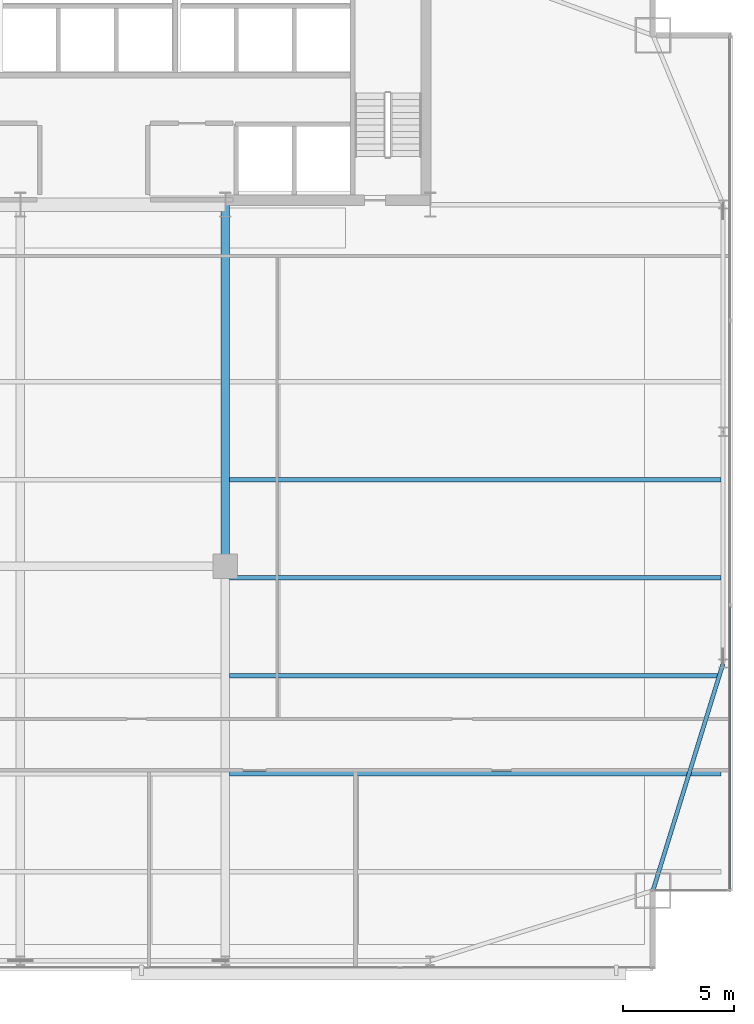
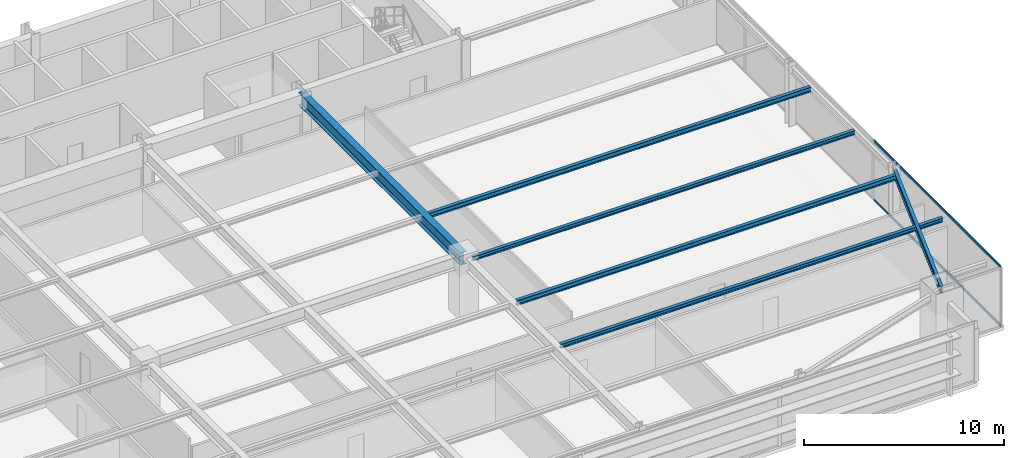
# One storey, part 17 of 32: 6 beams, 2 members, 1 element without a shape of its own.
"""IFC4 building model written with IfcOpenShell, lengths in metres."""

from ifc_helpers import new_model, si_unit, direction, frame, origin, origin_2d, place, context, subcontext, project, spatial, hollow_rectangle, i_section, extrude, source, transform, mapped, material, layer, layer_set, material_profile, profile_set, type_object, type_shapes, element, aggregate, save


model = new_model("IFC4")

# Units and contexts
model_context = context("Model", 3, precision=1e-05, world=origin(), true_north=direction((0.0, 1.0)))
body_context = subcontext(model_context, "Body", "Model", "MODEL_VIEW")
ifc_project = project(units=[si_unit("LENGTHUNIT", "METRE"), si_unit("AREAUNIT", "SQUARE_METRE"), si_unit("VOLUMEUNIT", "CUBIC_METRE"), si_unit("PLANEANGLEUNIT", "RADIAN"), si_unit("MASSUNIT", "GRAM", prefix="KILO")], contexts=[model_context])

# Site, building, storey
site_placement = place(None, origin())
site = spatial("IfcSite", under=ifc_project, at=site_placement, CompositionType="ELEMENT")
building_placement = place(site_placement, origin())
building = spatial("IfcBuilding", under=site, at=building_placement, Name="Varnel Quay Broadcast Tower", CompositionType="ELEMENT")
storey_placement = place(building_placement, frame((0.0, 0.0, 54.89990234375)))
storey = spatial("IfcBuildingStorey", under=building, at=storey_placement, Name="L12", CompositionType="ELEMENT", Elevation=54.89990234375)

# Beams
ifc_material_1 = material(Name="Structural Steel CSA G40.21 350W", Category="steel")
ifc_material_profile_1 = material_profile(ifc_material_1, i_section(OverallWidth=0.180908203125, OverallDepth=0.4169921875, WebThickness=0.010986328125, FlangeThickness=0.018310546875, FilletRadius=0.011962890625, at=origin_2d()), Name="W410X85")
ifc_profile_set_1 = profile_set([ifc_material_profile_1], Name="Structural Steel CSA G40.21 350W")
beam_type_1 = type_object("IfcBeamType", Name="Beam_W410X85", PredefinedType="SPANDREL", material=ifc_profile_set_1)
shared_shape_1 = source(origin(), body_context, "Body", "SweptSolid", [
    extrude(i_section(OverallWidth=0.180908203125, OverallDepth=0.4169921875, WebThickness=0.010986328125, FlangeThickness=0.018310546875, FilletRadius=0.011962890625, at=origin_2d()), origin(), (0.0, 0.0, 1.0), 10.635498046875),
])
type_shapes(beam_type_1, [shared_shape_1])
beam_1_placement = place(storey_placement, frame((62.406005859375, 4.819091796875, 3.441650390625), z_axis=(0.295069676324, 0.955475738108, 0.0), x_axis=(-0.955475738108, 0.295069676324, 0.0)))
element("IfcBeam", 1, at=beam_1_placement, inside=storey, type_object=beam_type_1, Name="L12 East Spandrel MC-SE-TC-E1", PredefinedType="SPANDREL", context=body_context, shape_type="MappedRepresentation", body=[
    mapped(shared_shape_1, transform((0.0, 0.0, 0.0), x_axis=(1.0, 0.0, 0.0), y_axis=(0.0, 1.0, 0.0), z_axis=(0.0, 0.0, 1.0), scale=1.0)),
])
ifc_material_profile_2 = material_profile(ifc_material_1, i_section(OverallWidth=0.381103515625, OverallDepth=0.77294921875, WebThickness=0.0166015625, FlangeThickness=0.027587890625, FilletRadius=0.01806640625, at=origin_2d()), Name="W760X257")
ifc_profile_set_2 = profile_set([ifc_material_profile_2], Name="Structural Steel CSA G40.21 350W")
beam_type_2 = type_object("IfcBeamType", Name="Girder_W760X257", PredefinedType="BEAM", material=ifc_profile_set_2)
shared_shape_2 = source(origin(), body_context, "Body", "SweptSolid", [
    extrude(i_section(OverallWidth=0.381103515625, OverallDepth=0.77294921875, WebThickness=0.0166015625, FlangeThickness=0.027587890625, FilletRadius=0.01806640625, at=origin_2d()), origin(), (0.0, 0.0, 1.0), 16.190185546875),
])
type_shapes(beam_type_2, [shared_shape_2])
beam_2_placement = place(storey_placement, frame((43.199951171875, 19.389892578125, 3.263671875), z_axis=(0.0, 1.0, 0.0), x_axis=(-1.0, 0.0, 0.0)))
element("IfcBeam", 2, at=beam_2_placement, inside=storey, type_object=beam_type_2, Name="L12 Primary Girder IC-02-CC-S4", PredefinedType="BEAM", context=body_context, shape_type="MappedRepresentation", body=[
    mapped(shared_shape_2, transform((0.0, 0.0, 0.0), x_axis=(1.0, 0.0, 0.0), y_axis=(0.0, 1.0, 0.0), z_axis=(0.0, 0.0, 1.0), scale=1.0)),
])
ifc_material_profile_3 = material_profile(ifc_material_1, i_section(OverallWidth=0.202880859375, OverallDepth=0.302978515625, WebThickness=0.007568359375, FlangeThickness=0.01318359375, FilletRadius=0.011962890625, at=origin_2d()), Name="W310X60")
ifc_profile_set_3 = profile_set([ifc_material_profile_3], Name="Structural Steel CSA G40.21 350W")
beam_type_3 = type_object("IfcBeamType", Name="Beam_W310X60", PredefinedType="JOIST", material=ifc_profile_set_3)
shared_shape_3 = source(origin(), body_context, "Body", "SweptSolid", [
    extrude(i_section(OverallWidth=0.202880859375, OverallDepth=0.302978515625, WebThickness=0.007568359375, FlangeThickness=0.01318359375, FilletRadius=0.011962890625, at=origin_2d()), origin(), (0.0, 0.0, 1.0), 22.0791015625),
])
type_shapes(beam_type_3, [shared_shape_3])
for number, where, z_axis, x_axis, name in (
    (3, (43.385498046875, 14.449951171875, 3.49853515625), (1.0, 0.0, 0.0), (0.0, 1.0, 0.0), "L12 East Floor Joist 3"),
    (4, (43.385498046875, 23.25, 3.49853515625), (1.0, 0.0, 0.0), (0.0, 1.0, 0.0), "L12 East Floor Joist 5"),
):
    element("IfcBeam", number, at=place(storey_placement, frame(where, z_axis=z_axis, x_axis=x_axis)), inside=storey, type_object=beam_type_3, Name=name, PredefinedType="JOIST", context=body_context, shape_type="MappedRepresentation", body=[
        mapped(shared_shape_3, transform((0.0, 0.0, 0.0), x_axis=(1.0, 0.0, 0.0), y_axis=(0.0, 1.0, 0.0), z_axis=(0.0, 0.0, 1.0), scale=1.0)),
    ])
ifc_material_profile_4 = material_profile(ifc_material_1, i_section(OverallWidth=0.201904296875, OverallDepth=0.2470703125, WebThickness=0.00732421875, FlangeThickness=0.010986328125, FilletRadius=0.010986328125, at=origin_2d()), Name="W250X49")
ifc_profile_set_4 = profile_set([ifc_material_profile_4], Name="Structural Steel CSA G40.21 350W")
beam_type_4 = type_object("IfcBeamType", Name="Beam_W250X49", PredefinedType="JOIST", material=ifc_profile_set_4)
shared_shape_4 = source(origin(), body_context, "Body", "SweptSolid", [
    extrude(i_section(OverallWidth=0.201904296875, OverallDepth=0.2470703125, WebThickness=0.00732421875, FlangeThickness=0.010986328125, FilletRadius=0.010986328125, at=origin_2d()), origin(), (0.0, 0.0, 1.0), 22.0791015625),
])
type_shapes(beam_type_4, [shared_shape_4])
for number, where, z_axis, x_axis, name in (
    (5, (43.385498046875, 10.050048828125, 3.526611328125), (1.0, 0.0, 0.0), (0.0, 1.0, 0.0), "L12 East Floor Joist 2"),
    (6, (43.385498046875, 18.85009765625, 3.526611328125), (1.0, 0.0, 0.0), (0.0, 1.0, 0.0), "L12 East Floor Joist 4"),
):
    element("IfcBeam", number, at=place(storey_placement, frame(where, z_axis=z_axis, x_axis=x_axis)), inside=storey, type_object=beam_type_4, Name=name, PredefinedType="JOIST", context=body_context, shape_type="MappedRepresentation", body=[
        mapped(shared_shape_4, transform((0.0, 0.0, 0.0), x_axis=(1.0, 0.0, 0.0), y_axis=(0.0, 1.0, 0.0), z_axis=(0.0, 0.0, 1.0), scale=1.0)),
    ])

# Curtain wall, members
ifc_material_2 = material(Name="Anodised Bronze Aluminium 6063-T6", Category="aluminium")
ifc_layer = layer(ifc_material_2, 0.18994140625, Name="Anodised Bronze Aluminium 6063-T6")
ifc_layer_set = layer_set([ifc_layer], Name="Anodised Bronze Aluminium 6063-T6")
curtain_wall_type = type_object("IfcCurtainWallType", Name="CW_LowerTower", PredefinedType="NOTDEFINED", material=ifc_layer_set)
curtain_wall_placement = place(storey_placement, origin())
curtain_wall = element("IfcCurtainWall", 7, at=curtain_wall_placement, inside=storey, type_object=curtain_wall_type, Name="L12 East Unitised Curtain Wall", PredefinedType="NOTDEFINED")
ifc_material_profile_5 = material_profile(ifc_material_2, hollow_rectangle(XDim=0.06005859375, YDim=0.14501953125, WallThickness=0.00341796875, at=origin_2d()), Name="ALU60X145X3.5")
ifc_profile_set_5 = profile_set([ifc_material_profile_5], Name="Anodised Bronze Aluminium 6063-T6")
member_type = type_object("IfcMemberType", Name="Tran_CWS-02", PredefinedType="USERDEFINED", material=ifc_profile_set_5)
shared_shape_5 = source(origin(), body_context, "Body", "SweptSolid", [
    extrude(hollow_rectangle(XDim=0.06005859375, YDim=0.14501953125, WallThickness=0.00341796875, at=origin_2d()), origin(), (0.0, 0.0, 1.0), 12.69482421875),
])
type_shapes(member_type, [shared_shape_5])
member_1_placement = place(storey_placement, frame((65.85009765625, 4.8701171875, 0.030029296875), z_axis=(0.0, 1.0, 0.0), x_axis=(-1.0, 0.0, 0.0)))
member_1 = element("IfcMember", 8, at=member_1_placement, type_object=member_type, Name="CWS-02 transom 1.1", ObjectType="TRANSOM", PredefinedType="USERDEFINED", context=body_context, shape_type="MappedRepresentation", body=[
    mapped(shared_shape_5, transform((0.0, 0.0, 0.0), x_axis=(1.0, 0.0, 0.0), y_axis=(0.0, 1.0, 0.0), z_axis=(0.0, 0.0, 1.0), scale=1.0)),
])
member_2_placement = place(storey_placement, frame((65.85009765625, 4.8701171875, 3.6201171875), z_axis=(0.0, 1.0, 0.0), x_axis=(-1.0, 0.0, 0.0)))
member_2 = element("IfcMember", 9, at=member_2_placement, type_object=member_type, Name="CWS-02 transom 1.2", ObjectType="TRANSOM", PredefinedType="USERDEFINED", context=body_context, shape_type="MappedRepresentation", body=[
    mapped(shared_shape_5, transform((0.0, 0.0, 0.0), x_axis=(1.0, 0.0, 0.0), y_axis=(0.0, 1.0, 0.0), z_axis=(0.0, 0.0, 1.0), scale=1.0)),
])
aggregate(curtain_wall, [member_1, member_2])

save(model, "model.ifc")
